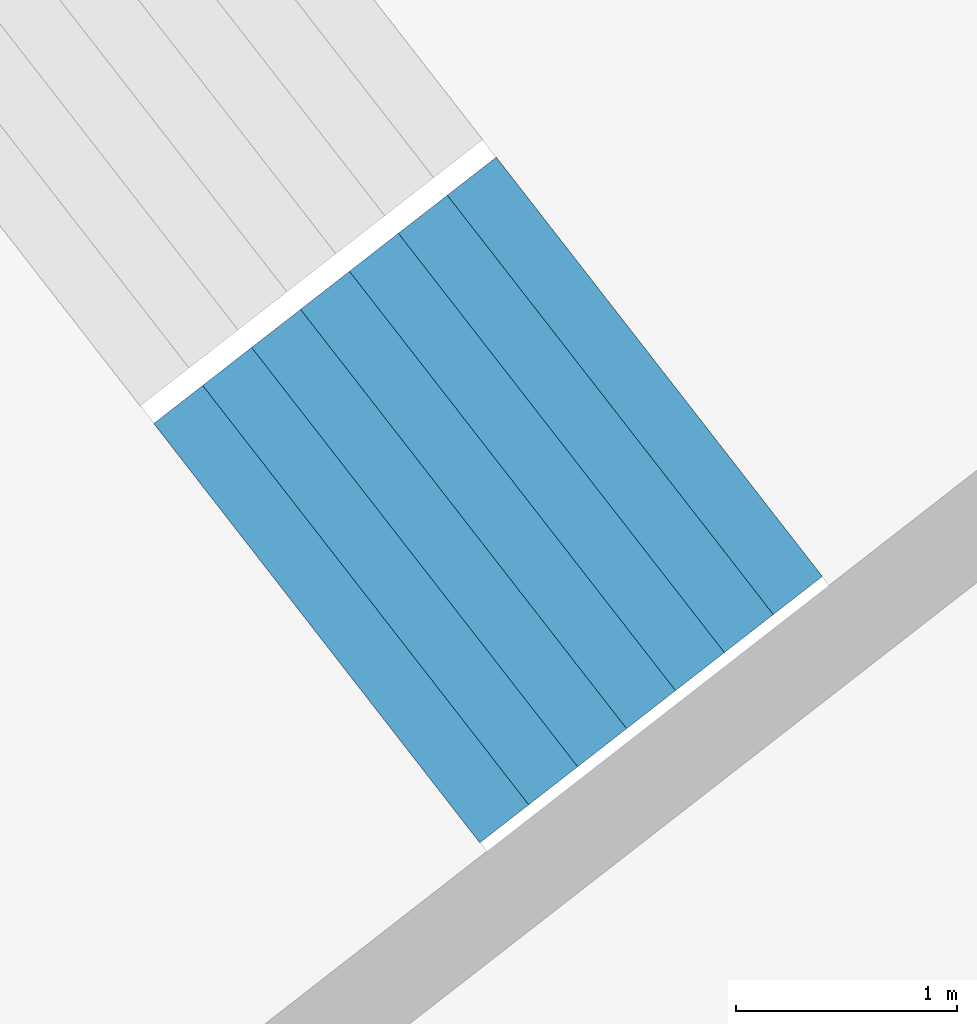
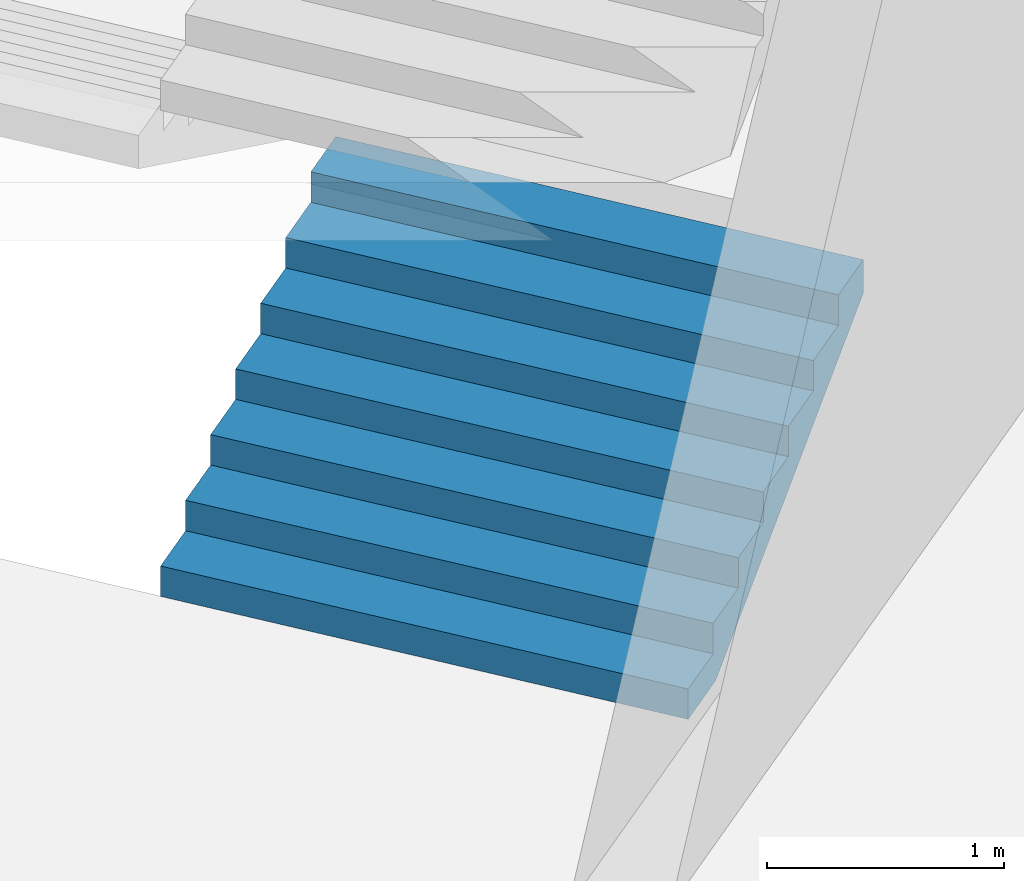
# One storey, part 61 of 73: 1 stair flight, 1 element without a shape of its own.
"""IFC4 building model written with IfcOpenShell, lengths in metres."""

from ifc_helpers import new_model, si_unit, direction, frame, origin, place, context, subcontext, project, spatial, triangles, material, type_object, element, aggregate, save


model = new_model("IFC4")

# Units and contexts
model_context = context("Model", 3, precision=1e-05, world=origin(), true_north=direction((0.0, 1.0)))
body_context = subcontext(model_context, "Body", "Model", "MODEL_VIEW")
ifc_project = project(units=[si_unit("LENGTHUNIT", "METRE"), si_unit("AREAUNIT", "SQUARE_METRE"), si_unit("VOLUMEUNIT", "CUBIC_METRE"), si_unit("PLANEANGLEUNIT", "RADIAN"), si_unit("MASSUNIT", "GRAM", prefix="KILO")], contexts=[model_context])

# Site, building, storey
site_placement = place(None, origin())
site = spatial("IfcSite", under=ifc_project, at=site_placement, CompositionType="ELEMENT")
building_placement = place(site_placement, origin())
building = spatial("IfcBuilding", under=site, at=building_placement, Name="Lantaw Convention Tower", CompositionType="ELEMENT")
storey_placement = place(building_placement, frame((0.0, 0.0, 27.0)))
storey = spatial("IfcBuildingStorey", under=building, at=storey_placement, Name="L04", CompositionType="ELEMENT", Elevation=27.0)

# Stair, stair flight
ifc_material = material(Name="Concrete C35/45", Category="concrete")
stair_type = type_object("IfcStairType", Name="Exit stair 2400 riser 156.25 in 4 flights", PredefinedType="HALF_TURN_STAIR", material=ifc_material)
stair_placement = place(storey_placement, origin())
stair = element("IfcStair", 1, at=stair_placement, inside=storey, type_object=stair_type, Name="Podium exit stair P3 L04", PredefinedType="HALF_TURN_STAIR")
stair_flight_type = type_object("IfcStairFlightType", Name="Stair flight 2400 riser 156.25", PredefinedType="STRAIGHT", material=ifc_material)
stair_flight_placement = place(storey_placement, frame((29.494384765625, 21.3544921875, 0.0), z_axis=(0.0, 0.0, 1.0), x_axis=(0.789378829664, 0.613906396186, 0.0)))
stair_flight = element("IfcStairFlight", 2, at=stair_flight_placement, type_object=stair_flight_type, Name="P3 flight 1", NumberOfRisers=8, NumberOfTreads=7, PredefinedType="STRAIGHT", RiserHeight=0.15625, TreadLength=0.28, context=body_context, shape_type="Tessellation", body=[
    triangles([(0.0, 1.199951171875, 0.0), (0.0, 1.199951171875, 0.15625), (0.28, 1.199951171875, 0.0), (0.28, 1.199951171875, 0.15625), (0.28, 1.199951171875, 0.3125), (0.3076200632058044, 1.199951171875, 0.0), (0.3076200632058044, 1.199951171875, 0.3125), (0.56, 1.199951171875, 0.14083701830033238), (0.56, 1.199951171875, 0.3125), (0.56, 1.199951171875, 0.46875), (0.8400000000000001, 1.199951171875, 0.29708701830033235), (0.8400000000000001, 1.199951171875, 0.46875), (0.8400000000000001, 1.199951171875, 0.625), (1.12, 1.199951171875, 0.45333701830033235), (1.12, 1.199951171875, 0.625), (1.12, 1.199951171875, 0.78125), (1.4000000000000001, 1.199951171875, 0.6095870183003324), (1.4000000000000001, 1.199951171875, 0.78125), (1.4000000000000001, 1.199951171875, 0.9375), (1.6800000000000002, 1.199951171875, 0.7658370183003324), (1.6800000000000002, 1.199951171875, 0.9375), (1.6800000000000002, 1.199951171875, 1.09375), (1.9600000000000002, 1.199951171875, 0.9220870183003324), (1.9600000000000002, 1.199951171875, 1.09375), (0.0, -1.199951171875, 0.0), (0.0, -1.199951171875, 0.15625), (0.28, -1.199951171875, 0.0), (0.28, -1.199951171875, 0.15625), (0.28, -1.199951171875, 0.3125), (0.3076200632058044, -1.199951171875, 0.0), (0.3076200632058044, -1.199951171875, 0.3125), (0.56, -1.199951171875, 0.14083701830033238), (0.56, -1.199951171875, 0.3125), (0.56, -1.199951171875, 0.46875), (0.8400000000000001, -1.199951171875, 0.29708701830033235), (0.8400000000000001, -1.199951171875, 0.46875), (0.8400000000000001, -1.199951171875, 0.625), (1.12, -1.199951171875, 0.45333701830033235), (1.12, -1.199951171875, 0.625), (1.12, -1.199951171875, 0.78125), (1.4000000000000001, -1.199951171875, 0.6095870183003324), (1.4000000000000001, -1.199951171875, 0.78125), (1.4000000000000001, -1.199951171875, 0.9375), (1.6800000000000002, -1.199951171875, 0.7658370183003324), (1.6800000000000002, -1.199951171875, 0.9375), (1.6800000000000002, -1.199951171875, 1.09375), (1.9600000000000002, -1.199951171875, 0.9220870183003324), (1.9600000000000002, -1.199951171875, 1.09375), (0.0, 0.239990234375, 0.15625), (0.0, 0.239990234375, 0.0), (0.0, 0.1919921875, 0.15625), (0.0, 0.1919921875, 0.0), (0.0, 0.143994140625, 0.15625), (0.0, 0.143994140625, 0.0), (0.0, 0.09599609375, 0.15625), (0.0, 0.09599609375, 0.0), (0.0, 0.047998046875, 0.15625), (0.0, 0.047998046875, 0.0), (0.0, 0.0, 0.15625), (0.0, 0.0, 0.0), (0.0, -0.047998046875, 0.15625), (0.0, -0.047998046875, 0.0), (0.0, -0.09599609375, 0.15625), (0.0, -0.09599609375, 0.0), (0.0, -0.143994140625, 0.15625), (0.0, -0.143994140625, 0.0), (0.0, -0.1919921875, 0.15625), (0.0, -0.1919921875, 0.0), (0.0, -0.239990234375, 0.15625), (0.0, -0.239990234375, 0.0), (0.28, 0.239990234375, 0.3125), (0.28, 0.239990234375, 0.15625), (0.28, 0.1919921875, 0.3125), (0.28, 0.1919921875, 0.15625), (0.28, 0.143994140625, 0.3125), (0.28, 0.143994140625, 0.15625), (0.28, 0.09599609375, 0.3125), (0.28, 0.09599609375, 0.15625), (0.28, 0.047998046875, 0.3125), (0.28, 0.047998046875, 0.15625), (0.28, 0.0, 0.3125), (0.28, 0.0, 0.15625), (0.28, -0.047998046875, 0.3125), (0.28, -0.047998046875, 0.15625), (0.28, -0.09599609375, 0.3125), (0.28, -0.09599609375, 0.15625), (0.28, -0.143994140625, 0.3125), (0.28, -0.143994140625, 0.15625), (0.28, -0.1919921875, 0.3125), (0.28, -0.1919921875, 0.15625), (0.28, -0.239990234375, 0.3125), (0.28, -0.239990234375, 0.15625), (0.56, 0.239990234375, 0.46875), (0.56, 0.239990234375, 0.3125), (0.56, 0.1919921875, 0.46875), (0.56, 0.1919921875, 0.3125), (0.56, 0.143994140625, 0.46875), (0.56, 0.143994140625, 0.3125), (0.56, 0.09599609375, 0.46875), (0.56, 0.09599609375, 0.3125), (0.56, 0.047998046875, 0.46875), (0.56, 0.047998046875, 0.3125), (0.56, 0.0, 0.46875), (0.56, 0.0, 0.3125), (0.56, -0.047998046875, 0.46875), (0.56, -0.047998046875, 0.3125), (0.56, -0.09599609375, 0.46875), (0.56, -0.09599609375, 0.3125), (0.56, -0.143994140625, 0.46875), (0.56, -0.143994140625, 0.3125), (0.56, -0.1919921875, 0.46875), (0.56, -0.1919921875, 0.3125), (0.56, -0.239990234375, 0.46875), (0.56, -0.239990234375, 0.3125), (0.8400000000000001, 0.239990234375, 0.625), (0.8400000000000001, 0.239990234375, 0.46875), (0.8400000000000001, 0.1919921875, 0.625), (0.8400000000000001, 0.1919921875, 0.46875), (0.8400000000000001, 0.143994140625, 0.625), (0.8400000000000001, 0.143994140625, 0.46875), (0.8400000000000001, 0.09599609375, 0.625), (0.8400000000000001, 0.09599609375, 0.46875), (0.8400000000000001, 0.047998046875, 0.625), (0.8400000000000001, 0.047998046875, 0.46875), (0.8400000000000001, 0.0, 0.625), (0.8400000000000001, 0.0, 0.46875), (0.8400000000000001, -0.047998046875, 0.625), (0.8400000000000001, -0.047998046875, 0.46875), (0.8400000000000001, -0.09599609375, 0.625), (0.8400000000000001, -0.09599609375, 0.46875), (0.8400000000000001, -0.143994140625, 0.625), (0.8400000000000001, -0.143994140625, 0.46875), (0.8400000000000001, -0.1919921875, 0.625), (0.8400000000000001, -0.1919921875, 0.46875), (0.8400000000000001, -0.239990234375, 0.625), (0.8400000000000001, -0.239990234375, 0.46875), (1.12, 0.239990234375, 0.78125), (1.12, 0.239990234375, 0.625), (1.12, 0.1919921875, 0.78125), (1.12, 0.1919921875, 0.625), (1.12, 0.143994140625, 0.78125), (1.12, 0.143994140625, 0.625), (1.12, 0.09599609375, 0.78125), (1.12, 0.09599609375, 0.625), (1.12, 0.047998046875, 0.78125), (1.12, 0.047998046875, 0.625), (1.12, 0.0, 0.78125), (1.12, 0.0, 0.625), (1.12, -0.047998046875, 0.78125), (1.12, -0.047998046875, 0.625), (1.12, -0.09599609375, 0.78125), (1.12, -0.09599609375, 0.625), (1.12, -0.143994140625, 0.78125), (1.12, -0.143994140625, 0.625), (1.12, -0.1919921875, 0.78125), (1.12, -0.1919921875, 0.625), (1.12, -0.239990234375, 0.78125), (1.12, -0.239990234375, 0.625), (1.4000000000000001, 0.239990234375, 0.9375), (1.4000000000000001, 0.239990234375, 0.78125), (1.4000000000000001, 0.1919921875, 0.9375), (1.4000000000000001, 0.1919921875, 0.78125), (1.4000000000000001, 0.143994140625, 0.9375), (1.4000000000000001, 0.143994140625, 0.78125), (1.4000000000000001, 0.09599609375, 0.9375), (1.4000000000000001, 0.09599609375, 0.78125), (1.4000000000000001, 0.047998046875, 0.9375), (1.4000000000000001, 0.047998046875, 0.78125), (1.4000000000000001, 0.0, 0.9375), (1.4000000000000001, 0.0, 0.78125), (1.4000000000000001, -0.047998046875, 0.9375), (1.4000000000000001, -0.047998046875, 0.78125), (1.4000000000000001, -0.09599609375, 0.9375), (1.4000000000000001, -0.09599609375, 0.78125), (1.4000000000000001, -0.143994140625, 0.9375), (1.4000000000000001, -0.143994140625, 0.78125), (1.4000000000000001, -0.1919921875, 0.9375), (1.4000000000000001, -0.1919921875, 0.78125), (1.4000000000000001, -0.239990234375, 0.9375), (1.4000000000000001, -0.239990234375, 0.78125), (1.6800000000000002, 0.239990234375, 1.09375), (1.6800000000000002, 0.239990234375, 0.9375), (1.6800000000000002, 0.1919921875, 1.09375), (1.6800000000000002, 0.1919921875, 0.9375), (1.6800000000000002, 0.143994140625, 1.09375), (1.6800000000000002, 0.143994140625, 0.9375), (1.6800000000000002, 0.09599609375, 1.09375), (1.6800000000000002, 0.09599609375, 0.9375), (1.6800000000000002, 0.047998046875, 1.09375), (1.6800000000000002, 0.047998046875, 0.9375), (1.6800000000000002, 0.0, 1.09375), (1.6800000000000002, 0.0, 0.9375), (1.6800000000000002, -0.047998046875, 1.09375), (1.6800000000000002, -0.047998046875, 0.9375), (1.6800000000000002, -0.09599609375, 1.09375), (1.6800000000000002, -0.09599609375, 0.9375), (1.6800000000000002, -0.143994140625, 1.09375), (1.6800000000000002, -0.143994140625, 0.9375), (1.6800000000000002, -0.1919921875, 1.09375), (1.6800000000000002, -0.1919921875, 0.9375), (1.6800000000000002, -0.239990234375, 1.09375), (1.6800000000000002, -0.239990234375, 0.9375), (0.3076200632058044, 0.239990234375, 0.3125), (0.3076200632058044, 0.1919921875, 0.3125), (0.3076200632058044, 0.143994140625, 0.3125), (0.3076200632058044, 0.09599609375, 0.3125), (0.3076200632058044, 0.047998046875, 0.3125), (0.3076200632058044, 0.0, 0.3125), (0.3076200632058044, -0.047998046875, 0.3125), (0.3076200632058044, -0.09599609375, 0.3125), (0.3076200632058044, -0.143994140625, 0.3125), (0.3076200632058044, -0.1919921875, 0.3125), (0.3076200632058044, -0.239990234375, 0.3125), (1.9600000000000002, 0.239990234375, 1.09375), (1.9600000000000002, 0.1919921875, 1.09375), (1.9600000000000002, 0.143994140625, 1.09375), (1.9600000000000002, 0.09599609375, 1.09375), (1.9600000000000002, 0.047998046875, 1.09375), (1.9600000000000002, 0.0, 1.09375), (1.9600000000000002, -0.047998046875, 1.09375), (1.9600000000000002, -0.09599609375, 1.09375), (1.9600000000000002, -0.143994140625, 1.09375), (1.9600000000000002, -0.1919921875, 1.09375), (1.9600000000000002, -0.239990234375, 1.09375), (1.9600000000000002, 0.239990234375, 0.9220870183003324), (1.9600000000000002, 0.1919921875, 0.9220870183003324), (1.9600000000000002, 0.143994140625, 0.9220870183003324), (1.9600000000000002, 0.09599609375, 0.9220870183003324), (1.9600000000000002, 0.047998046875, 0.9220870183003324), (1.9600000000000002, 0.0, 0.9220870183003324), (1.9600000000000002, -0.047998046875, 0.9220870183003324), (1.9600000000000002, -0.09599609375, 0.9220870183003324), (1.9600000000000002, -0.143994140625, 0.9220870183003324), (1.9600000000000002, -0.1919921875, 0.9220870183003324), (1.9600000000000002, -0.239990234375, 0.9220870183003324), (1.6800000000000002, 0.239990234375, 0.7658370183003324), (1.6800000000000002, 0.1919921875, 0.7658370183003324), (1.6800000000000002, 0.143994140625, 0.7658370183003324), (1.6800000000000002, 0.09599609375, 0.7658370183003324), (1.6800000000000002, 0.047998046875, 0.7658370183003324), (1.6800000000000002, 0.0, 0.7658370183003324), (1.6800000000000002, -0.047998046875, 0.7658370183003324), (1.6800000000000002, -0.09599609375, 0.7658370183003324), (1.6800000000000002, -0.143994140625, 0.7658370183003324), (1.6800000000000002, -0.1919921875, 0.7658370183003324), (1.6800000000000002, -0.239990234375, 0.7658370183003324), (1.4000000000000001, 0.239990234375, 0.6095870183003324), (1.4000000000000001, 0.1919921875, 0.6095870183003324), (1.4000000000000001, 0.143994140625, 0.6095870183003324), (1.4000000000000001, 0.09599609375, 0.6095870183003324), (1.4000000000000001, 0.047998046875, 0.6095870183003324), (1.4000000000000001, 0.0, 0.6095870183003324), (1.4000000000000001, -0.047998046875, 0.6095870183003324), (1.4000000000000001, -0.09599609375, 0.6095870183003324), (1.4000000000000001, -0.143994140625, 0.6095870183003324), (1.4000000000000001, -0.1919921875, 0.6095870183003324), (1.4000000000000001, -0.239990234375, 0.6095870183003324), (1.12, 0.239990234375, 0.45333701830033235), (1.12, 0.1919921875, 0.45333701830033235), (1.12, 0.143994140625, 0.45333701830033235), (1.12, 0.09599609375, 0.45333701830033235), (1.12, 0.047998046875, 0.45333701830033235), (1.12, 0.0, 0.45333701830033235), (1.12, -0.047998046875, 0.45333701830033235), (1.12, -0.09599609375, 0.45333701830033235), (1.12, -0.143994140625, 0.45333701830033235), (1.12, -0.1919921875, 0.45333701830033235), (1.12, -0.239990234375, 0.45333701830033235), (0.8400000000000001, 0.239990234375, 0.29708701830033235), (0.8400000000000001, 0.1919921875, 0.29708701830033235), (0.8400000000000001, 0.143994140625, 0.29708701830033235), (0.8400000000000001, 0.09599609375, 0.29708701830033235), (0.8400000000000001, 0.047998046875, 0.29708701830033235), (0.8400000000000001, 0.0, 0.29708701830033235), (0.8400000000000001, -0.047998046875, 0.29708701830033235), (0.8400000000000001, -0.09599609375, 0.29708701830033235), (0.8400000000000001, -0.143994140625, 0.29708701830033235), (0.8400000000000001, -0.1919921875, 0.29708701830033235), (0.8400000000000001, -0.239990234375, 0.29708701830033235), (0.56, 0.239990234375, 0.14083701830033238), (0.56, 0.1919921875, 0.14083701830033238), (0.56, 0.143994140625, 0.14083701830033238), (0.56, 0.09599609375, 0.14083701830033238), (0.56, 0.047998046875, 0.14083701830033238), (0.56, 0.0, 0.14083701830033238), (0.56, -0.047998046875, 0.14083701830033238), (0.56, -0.09599609375, 0.14083701830033238), (0.56, -0.143994140625, 0.14083701830033238), (0.56, -0.1919921875, 0.14083701830033238), (0.56, -0.239990234375, 0.14083701830033238), (0.3076200632058044, 0.239990234375, 0.0), (0.3076200632058044, 0.1919921875, 0.0), (0.3076200632058044, 0.143994140625, 0.0), (0.3076200632058044, 0.09599609375, 0.0), (0.3076200632058044, 0.047998046875, 0.0), (0.3076200632058044, 0.0, 0.0), (0.3076200632058044, -0.047998046875, 0.0), (0.3076200632058044, -0.09599609375, 0.0), (0.3076200632058044, -0.143994140625, 0.0), (0.3076200632058044, -0.1919921875, 0.0), (0.3076200632058044, -0.239990234375, 0.0), (0.28, 0.239990234375, 0.0), (0.28, 0.1919921875, 0.0), (0.28, 0.143994140625, 0.0), (0.28, 0.09599609375, 0.0), (0.28, 0.047998046875, 0.0), (0.28, 0.0, 0.0), (0.28, -0.047998046875, 0.0), (0.28, -0.09599609375, 0.0), (0.28, -0.143994140625, 0.0), (0.28, -0.1919921875, 0.0), (0.28, -0.239990234375, 0.0)], [[1, 4, 3], [1, 2, 4], [3, 4, 6], [4, 7, 6], [4, 5, 7], [6, 9, 8], [6, 7, 9], [8, 9, 11], [9, 12, 11], [9, 10, 12], [11, 12, 14], [12, 15, 14], [12, 13, 15], [14, 15, 17], [15, 18, 17], [15, 16, 18], [17, 18, 20], [18, 21, 20], [18, 19, 21], [20, 21, 23], [21, 24, 23], [21, 22, 24], [25, 27, 28], [25, 28, 26], [27, 30, 28], [28, 30, 31], [28, 31, 29], [30, 32, 33], [30, 33, 31], [32, 35, 33], [33, 35, 36], [33, 36, 34], [35, 38, 36], [36, 38, 39], [36, 39, 37], [38, 41, 39], [39, 41, 42], [39, 42, 40], [41, 44, 42], [42, 44, 45], [42, 45, 43], [44, 47, 45], [45, 47, 48], [45, 48, 46], [1, 49, 2], [1, 50, 49], [50, 51, 49], [50, 52, 51], [52, 53, 51], [52, 54, 53], [54, 55, 53], [54, 56, 55], [56, 57, 55], [56, 58, 57], [58, 59, 57], [58, 60, 59], [60, 61, 59], [60, 62, 61], [62, 63, 61], [62, 64, 63], [64, 65, 63], [64, 66, 65], [66, 67, 65], [66, 68, 67], [68, 69, 67], [68, 70, 69], [70, 26, 69], [70, 25, 26], [4, 71, 5], [4, 72, 71], [72, 73, 71], [72, 74, 73], [74, 75, 73], [74, 76, 75], [76, 77, 75], [76, 78, 77], [78, 79, 77], [78, 80, 79], [80, 81, 79], [80, 82, 81], [82, 83, 81], [82, 84, 83], [84, 85, 83], [84, 86, 85], [86, 87, 85], [86, 88, 87], [88, 89, 87], [88, 90, 89], [90, 91, 89], [90, 92, 91], [92, 29, 91], [92, 28, 29], [9, 93, 10], [9, 94, 93], [94, 95, 93], [94, 96, 95], [96, 97, 95], [96, 98, 97], [98, 99, 97], [98, 100, 99], [100, 101, 99], [100, 102, 101], [102, 103, 101], [102, 104, 103], [104, 105, 103], [104, 106, 105], [106, 107, 105], [106, 108, 107], [108, 109, 107], [108, 110, 109], [110, 111, 109], [110, 112, 111], [112, 113, 111], [112, 114, 113], [114, 34, 113], [114, 33, 34], [12, 115, 13], [12, 116, 115], [116, 117, 115], [116, 118, 117], [118, 119, 117], [118, 120, 119], [120, 121, 119], [120, 122, 121], [122, 123, 121], [122, 124, 123], [124, 125, 123], [124, 126, 125], [126, 127, 125], [126, 128, 127], [128, 129, 127], [128, 130, 129], [130, 131, 129], [130, 132, 131], [132, 133, 131], [132, 134, 133], [134, 135, 133], [134, 136, 135], [136, 37, 135], [136, 36, 37], [15, 137, 16], [15, 138, 137], [138, 139, 137], [138, 140, 139], [140, 141, 139], [140, 142, 141], [142, 143, 141], [142, 144, 143], [144, 145, 143], [144, 146, 145], [146, 147, 145], [146, 148, 147], [148, 149, 147], [148, 150, 149], [150, 151, 149], [150, 152, 151], [152, 153, 151], [152, 154, 153], [154, 155, 153], [154, 156, 155], [156, 157, 155], [156, 158, 157], [158, 40, 157], [158, 39, 40], [18, 159, 19], [18, 160, 159], [160, 161, 159], [160, 162, 161], [162, 163, 161], [162, 164, 163], [164, 165, 163], [164, 166, 165], [166, 167, 165], [166, 168, 167], [168, 169, 167], [168, 170, 169], [170, 171, 169], [170, 172, 171], [172, 173, 171], [172, 174, 173], [174, 175, 173], [174, 176, 175], [176, 177, 175], [176, 178, 177], [178, 179, 177], [178, 180, 179], [180, 43, 179], [180, 42, 43], [21, 181, 22], [21, 182, 181], [182, 183, 181], [182, 184, 183], [184, 185, 183], [184, 186, 185], [186, 187, 185], [186, 188, 187], [188, 189, 187], [188, 190, 189], [190, 191, 189], [190, 192, 191], [192, 193, 191], [192, 194, 193], [194, 195, 193], [194, 196, 195], [196, 197, 195], [196, 198, 197], [198, 199, 197], [198, 200, 199], [200, 201, 199], [200, 202, 201], [202, 46, 201], [202, 45, 46], [2, 72, 4], [2, 49, 72], [49, 74, 72], [49, 51, 74], [51, 76, 74], [51, 53, 76], [53, 78, 76], [53, 55, 78], [55, 80, 78], [55, 57, 80], [57, 82, 80], [57, 59, 82], [59, 84, 82], [59, 61, 84], [61, 86, 84], [61, 63, 86], [63, 88, 86], [63, 65, 88], [65, 90, 88], [65, 67, 90], [67, 92, 90], [67, 69, 92], [69, 28, 92], [69, 26, 28], [5, 203, 7], [5, 71, 203], [71, 204, 203], [71, 73, 204], [73, 205, 204], [73, 75, 205], [75, 206, 205], [75, 77, 206], [77, 207, 206], [77, 79, 207], [79, 208, 207], [79, 81, 208], [81, 209, 208], [81, 83, 209], [83, 210, 209], [83, 85, 210], [85, 211, 210], [85, 87, 211], [87, 212, 211], [87, 89, 212], [89, 213, 212], [89, 91, 213], [91, 31, 213], [91, 29, 31], [7, 94, 9], [7, 203, 94], [203, 96, 94], [203, 204, 96], [204, 98, 96], [204, 205, 98], [205, 100, 98], [205, 206, 100], [206, 102, 100], [206, 207, 102], [207, 104, 102], [207, 208, 104], [208, 106, 104], [208, 209, 106], [209, 108, 106], [209, 210, 108], [210, 110, 108], [210, 211, 110], [211, 112, 110], [211, 212, 112], [212, 114, 112], [212, 213, 114], [213, 33, 114], [213, 31, 33], [10, 116, 12], [10, 93, 116], [93, 118, 116], [93, 95, 118], [95, 120, 118], [95, 97, 120], [97, 122, 120], [97, 99, 122], [99, 124, 122], [99, 101, 124], [101, 126, 124], [101, 103, 126], [103, 128, 126], [103, 105, 128], [105, 130, 128], [105, 107, 130], [107, 132, 130], [107, 109, 132], [109, 134, 132], [109, 111, 134], [111, 136, 134], [111, 113, 136], [113, 36, 136], [113, 34, 36], [13, 138, 15], [13, 115, 138], [115, 140, 138], [115, 117, 140], [117, 142, 140], [117, 119, 142], [119, 144, 142], [119, 121, 144], [121, 146, 144], [121, 123, 146], [123, 148, 146], [123, 125, 148], [125, 150, 148], [125, 127, 150], [127, 152, 150], [127, 129, 152], [129, 154, 152], [129, 131, 154], [131, 156, 154], [131, 133, 156], [133, 158, 156], [133, 135, 158], [135, 39, 158], [135, 37, 39], [16, 160, 18], [16, 137, 160], [137, 162, 160], [137, 139, 162], [139, 164, 162], [139, 141, 164], [141, 166, 164], [141, 143, 166], [143, 168, 166], [143, 145, 168], [145, 170, 168], [145, 147, 170], [147, 172, 170], [147, 149, 172], [149, 174, 172], [149, 151, 174], [151, 176, 174], [151, 153, 176], [153, 178, 176], [153, 155, 178], [155, 180, 178], [155, 157, 180], [157, 42, 180], [157, 40, 42], [19, 182, 21], [19, 159, 182], [159, 184, 182], [159, 161, 184], [161, 186, 184], [161, 163, 186], [163, 188, 186], [163, 165, 188], [165, 190, 188], [165, 167, 190], [167, 192, 190], [167, 169, 192], [169, 194, 192], [169, 171, 194], [171, 196, 194], [171, 173, 196], [173, 198, 196], [173, 175, 198], [175, 200, 198], [175, 177, 200], [177, 202, 200], [177, 179, 202], [179, 45, 202], [179, 43, 45], [22, 214, 24], [22, 181, 214], [181, 215, 214], [181, 183, 215], [183, 216, 215], [183, 185, 216], [185, 217, 216], [185, 187, 217], [187, 218, 217], [187, 189, 218], [189, 219, 218], [189, 191, 219], [191, 220, 219], [191, 193, 220], [193, 221, 220], [193, 195, 221], [195, 222, 221], [195, 197, 222], [197, 223, 222], [197, 199, 223], [199, 224, 223], [199, 201, 224], [201, 48, 224], [201, 46, 48], [24, 225, 23], [24, 214, 225], [214, 226, 225], [214, 215, 226], [215, 227, 226], [215, 216, 227], [216, 228, 227], [216, 217, 228], [217, 229, 228], [217, 218, 229], [218, 230, 229], [218, 219, 230], [219, 231, 230], [219, 220, 231], [220, 232, 231], [220, 221, 232], [221, 233, 232], [221, 222, 233], [222, 234, 233], [222, 223, 234], [223, 235, 234], [223, 224, 235], [224, 47, 235], [224, 48, 47], [23, 236, 20], [23, 225, 236], [225, 237, 236], [225, 226, 237], [226, 238, 237], [226, 227, 238], [227, 239, 238], [227, 228, 239], [228, 240, 239], [228, 229, 240], [229, 241, 240], [229, 230, 241], [230, 242, 241], [230, 231, 242], [231, 243, 242], [231, 232, 243], [232, 244, 243], [232, 233, 244], [233, 245, 244], [233, 234, 245], [234, 246, 245], [234, 235, 246], [235, 44, 246], [235, 47, 44], [20, 247, 17], [20, 236, 247], [236, 248, 247], [236, 237, 248], [237, 249, 248], [237, 238, 249], [238, 250, 249], [238, 239, 250], [239, 251, 250], [239, 240, 251], [240, 252, 251], [240, 241, 252], [241, 253, 252], [241, 242, 253], [242, 254, 253], [242, 243, 254], [243, 255, 254], [243, 244, 255], [244, 256, 255], [244, 245, 256], [245, 257, 256], [245, 246, 257], [246, 41, 257], [246, 44, 41], [17, 258, 14], [17, 247, 258], [247, 259, 258], [247, 248, 259], [248, 260, 259], [248, 249, 260], [249, 261, 260], [249, 250, 261], [250, 262, 261], [250, 251, 262], [251, 263, 262], [251, 252, 263], [252, 264, 263], [252, 253, 264], [253, 265, 264], [253, 254, 265], [254, 266, 265], [254, 255, 266], [255, 267, 266], [255, 256, 267], [256, 268, 267], [256, 257, 268], [257, 38, 268], [257, 41, 38], [14, 269, 11], [14, 258, 269], [258, 270, 269], [258, 259, 270], [259, 271, 270], [259, 260, 271], [260, 272, 271], [260, 261, 272], [261, 273, 272], [261, 262, 273], [262, 274, 273], [262, 263, 274], [263, 275, 274], [263, 264, 275], [264, 276, 275], [264, 265, 276], [265, 277, 276], [265, 266, 277], [266, 278, 277], [266, 267, 278], [267, 279, 278], [267, 268, 279], [268, 35, 279], [268, 38, 35], [11, 280, 8], [11, 269, 280], [269, 281, 280], [269, 270, 281], [270, 282, 281], [270, 271, 282], [271, 283, 282], [271, 272, 283], [272, 284, 283], [272, 273, 284], [273, 285, 284], [273, 274, 285], [274, 286, 285], [274, 275, 286], [275, 287, 286], [275, 276, 287], [276, 288, 287], [276, 277, 288], [277, 289, 288], [277, 278, 289], [278, 290, 289], [278, 279, 290], [279, 32, 290], [279, 35, 32], [8, 291, 6], [8, 280, 291], [280, 292, 291], [280, 281, 292], [281, 293, 292], [281, 282, 293], [282, 294, 293], [282, 283, 294], [283, 295, 294], [283, 284, 295], [284, 296, 295], [284, 285, 296], [285, 297, 296], [285, 286, 297], [286, 298, 297], [286, 287, 298], [287, 299, 298], [287, 288, 299], [288, 300, 299], [288, 289, 300], [289, 301, 300], [289, 290, 301], [290, 30, 301], [290, 32, 30], [6, 302, 3], [6, 291, 302], [291, 303, 302], [291, 292, 303], [292, 304, 303], [292, 293, 304], [293, 305, 304], [293, 294, 305], [294, 306, 305], [294, 295, 306], [295, 307, 306], [295, 296, 307], [296, 308, 307], [296, 297, 308], [297, 309, 308], [297, 298, 309], [298, 310, 309], [298, 299, 310], [299, 311, 310], [299, 300, 311], [300, 312, 311], [300, 301, 312], [301, 27, 312], [301, 30, 27], [3, 50, 1], [3, 302, 50], [302, 52, 50], [302, 303, 52], [303, 54, 52], [303, 304, 54], [304, 56, 54], [304, 305, 56], [305, 58, 56], [305, 306, 58], [306, 60, 58], [306, 307, 60], [307, 62, 60], [307, 308, 62], [308, 64, 62], [308, 309, 64], [309, 66, 64], [309, 310, 66], [310, 68, 66], [310, 311, 68], [311, 70, 68], [311, 312, 70], [312, 25, 70], [312, 27, 25]], closed=True),
])
aggregate(stair, [stair_flight])

save(model, "model.ifc")
